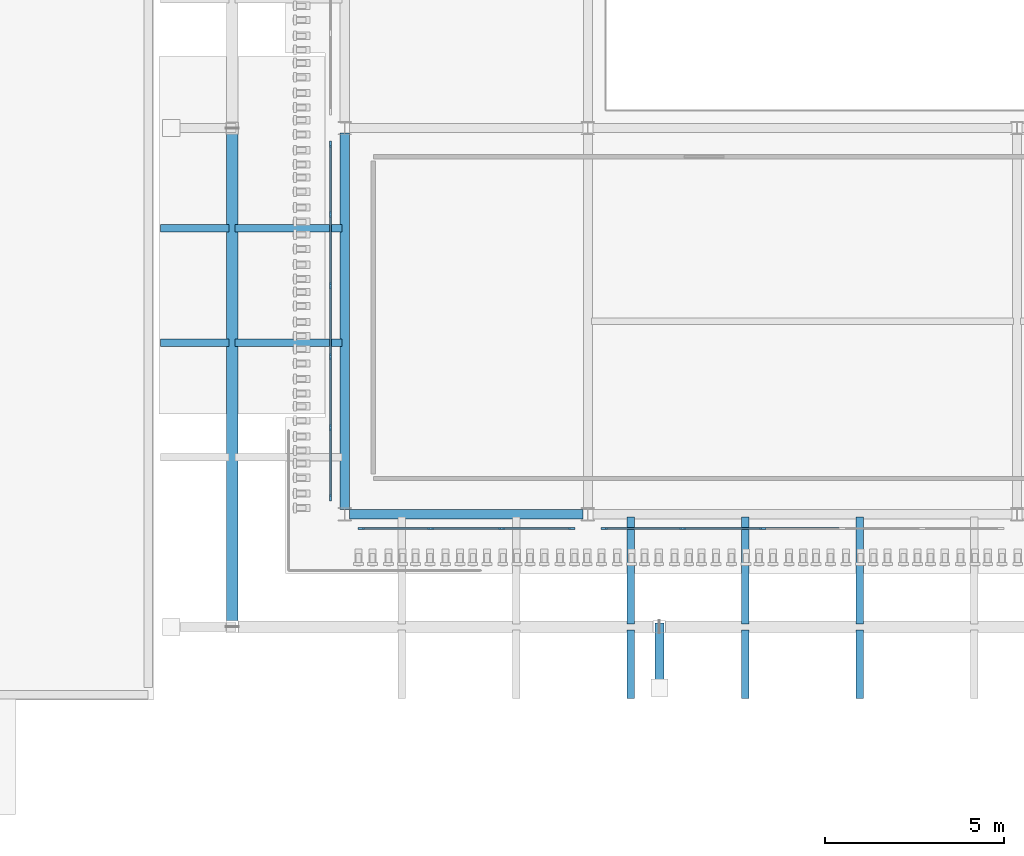
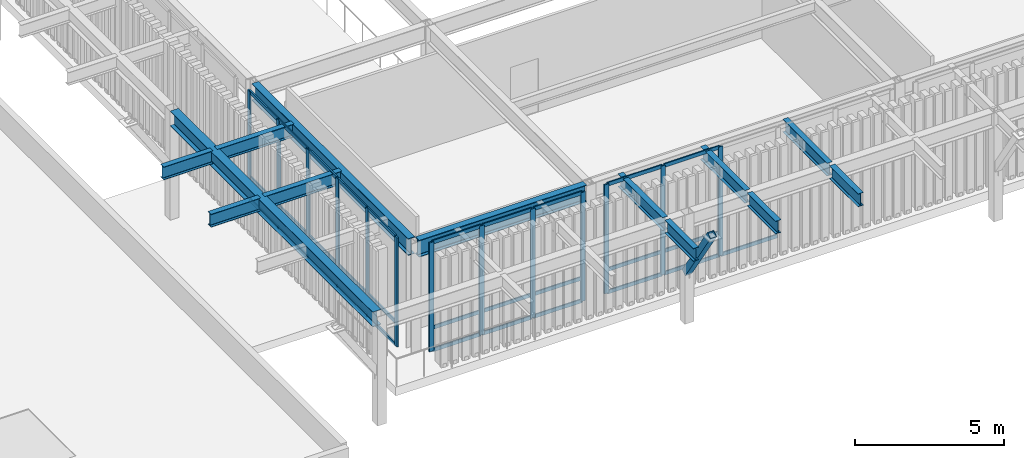
# One storey, part 42 of 126: 45 members, 13 beams, 3 elements without a shape of their own.
"""IFC4 building model written with IfcOpenShell, lengths in metres."""

from ifc_helpers import new_model, si_unit, derived_unit, direction, frame, origin, origin_2d, place, context, subcontext, project, spatial, rectangle, hollow_rectangle, i_section, extrude, material, layer, layer_set, material_profile, profile_set, type_object, element, aggregate, save


model = new_model("IFC4")

# Units and contexts
model_context = context("Model", 3, precision=1e-05, world=origin(), true_north=direction((0.0, 1.0)))
body_context = subcontext(model_context, "Body", "Model", "MODEL_VIEW")
ifc_project = project(units=[si_unit("LENGTHUNIT", "METRE"), si_unit("AREAUNIT", "SQUARE_METRE"), si_unit("VOLUMEUNIT", "CUBIC_METRE"), si_unit("PLANEANGLEUNIT", "RADIAN"), si_unit("MASSUNIT", "GRAM", prefix="KILO"), derived_unit("THERMALTRANSMITTANCEUNIT", [(si_unit("MASSUNIT", "GRAM", prefix="KILO"), 1), (si_unit("TIMEUNIT", "SECOND"), -3), (si_unit("THERMODYNAMICTEMPERATUREUNIT", "KELVIN"), -1)])], contexts=[model_context])

# Site, building, storey
site_placement = place(None, origin())
site = spatial("IfcSite", under=ifc_project, at=site_placement, CompositionType="ELEMENT")
building_placement = place(site_placement, origin())
building = spatial("IfcBuilding", under=site, at=building_placement, Name="Valcora Ridge Arena", CompositionType="ELEMENT")
storey_placement = place(building_placement, frame((0.0, 0.0, 11.39990234375)))
storey = spatial("IfcBuildingStorey", under=building, at=storey_placement, Name="L02", CompositionType="ELEMENT", Elevation=11.39990234375)

# Beams
ifc_material_1 = material(Name="Steel ASTM A572 Grade 50", Category="steel")
ifc_material_profile_1 = material_profile(ifc_material_1, i_section(OverallWidth=0.324951171875, OverallDepth=0.612060546875, WebThickness=0.0126953125, FlangeThickness=0.01904296875, FilletRadius=0.01806640625, at=origin_2d()), Name="W24X104")
ifc_profile_set_1 = profile_set([ifc_material_profile_1], Name="Steel ASTM A572 Grade 50")
beam_type_1 = type_object("IfcBeamType", Name="TY-BEAM-G-COL-W24", PredefinedType="BEAM", material=ifc_profile_set_1)
beam_1_placement = place(storey_placement, frame((134.050048828125, 2.2099609375, 4.174072265625), z_axis=(0.0, 1.0, 0.0), x_axis=(-1.0, 0.0, 0.0)))
element("IfcBeam", 1, at=beam_1_placement, inside=storey, type_object=beam_type_1, Name="G-COL-W24 BEM-G-COL-W24-0001", PredefinedType="BEAM", context=body_context, shape_type="SweptSolid", body=[
    extrude(i_section(OverallWidth=0.324951171875, OverallDepth=0.612060546875, WebThickness=0.0126953125, FlangeThickness=0.01904296875, FilletRadius=0.01806640625, at=origin_2d()), origin(), (0.0, 0.0, 1.0), 13.630126953125),
])
ifc_material_profile_2 = material_profile(ifc_material_1, i_section(OverallWidth=0.256103515625, OverallDepth=0.693115234375, WebThickness=0.014404296875, FlangeThickness=0.023681640625, FilletRadius=0.02001953125, at=origin_2d()), Name="W27X114")
ifc_profile_set_2 = profile_set([ifc_material_profile_2], Name="Steel ASTM A572 Grade 50")
beam_type_2 = type_object("IfcBeamType", Name="TY-BEAM-G-W27X114-Y", PredefinedType="BEAM", material=ifc_profile_set_2)
beam_2_placement = place(storey_placement, frame((137.199951171875, 5.340087890625, 4.133544921875), z_axis=(0.0, 1.0, 0.0), x_axis=(-1.0, 0.0, 0.0)))
element("IfcBeam", 2, at=beam_2_placement, inside=storey, type_object=beam_type_2, Name="G-W27X114-Y BEM-G-W27X114-Y-0059", PredefinedType="BEAM", context=body_context, shape_type="SweptSolid", body=[
    extrude(i_section(OverallWidth=0.256103515625, OverallDepth=0.693115234375, WebThickness=0.014404296875, FlangeThickness=0.023681640625, FilletRadius=0.02001953125, at=origin_2d()), origin(), (0.0, 0.0, 1.0), 10.52001953125),
])
ifc_material_profile_3 = material_profile(ifc_material_1, i_section(OverallWidth=0.208984375, OverallDepth=0.532958984375, WebThickness=0.01025390625, FlangeThickness=0.015625, FilletRadius=0.01611328125, at=origin_2d()), Name="W21X62")
ifc_profile_set_3 = profile_set([ifc_material_profile_3], Name="Steel ASTM A572 Grade 50")
beam_type_3 = type_object("IfcBeamType", Name="TY-BEAM-RAF-EAVE-W21", PredefinedType="BEAM", material=ifc_profile_set_3)
for number, where, z_axis, x_axis, name in (
    (3, (134.1298828125, 10.0, 4.213623046875), (1.0, 0.0, 0.0), (0.0, 1.0, 0.0), "RAF-EAVE-W21 BEM-RAF-EAVE-W21-0002"),
    (4, (134.1298828125, 13.199951171875, 4.213623046875), (1.0, 0.0, 0.0), (0.0, 1.0, 0.0), "RAF-EAVE-W21 BEM-RAF-EAVE-W21-0003"),
):
    element("IfcBeam", number, at=place(storey_placement, frame(where, z_axis=z_axis, x_axis=x_axis)), inside=storey, type_object=beam_type_3, Name=name, PredefinedType="BEAM", context=body_context, shape_type="SweptSolid", body=[
        extrude(i_section(OverallWidth=0.208984375, OverallDepth=0.532958984375, WebThickness=0.01025390625, FlangeThickness=0.015625, FilletRadius=0.01611328125, at=origin_2d()), origin(), (0.0, 0.0, 1.0), 2.990234375),
    ])
ifc_material_profile_4 = material_profile(ifc_material_1, i_section(OverallWidth=0.208984375, OverallDepth=0.532958984375, WebThickness=0.01025390625, FlangeThickness=0.015625, FilletRadius=0.01611328125, at=origin_2d()), Name="W21X62")
ifc_profile_set_4 = profile_set([ifc_material_profile_4], Name="Steel ASTM A572 Grade 50")
beam_type_4 = type_object("IfcBeamType", Name="TY-BEAM-RAF-EAVE-W21S", PredefinedType="BEAM", material=ifc_profile_set_4)
for number, where, z_axis, x_axis, name in (
    (5, (145.199951171875, 2.1298828125, 4.213623046875), (0.0, 1.0, 0.0), (-1.0, 0.0, 0.0), "RAF-EAVE-W21S BEM-RAF-EAVE-W21S-0003"),
    (6, (148.39990234375, 2.1298828125, 4.213623046875), (0.0, 1.0, 0.0), (-1.0, 0.0, 0.0), "RAF-EAVE-W21S BEM-RAF-EAVE-W21S-0004"),
    (7, (151.60009765625, 2.1298828125, 4.213623046875), (0.0, 1.0, 0.0), (-1.0, 0.0, 0.0), "RAF-EAVE-W21S BEM-RAF-EAVE-W21S-0005"),
):
    element("IfcBeam", number, at=place(storey_placement, frame(where, z_axis=z_axis, x_axis=x_axis)), inside=storey, type_object=beam_type_4, Name=name, PredefinedType="BEAM", context=body_context, shape_type="SweptSolid", body=[
        extrude(i_section(OverallWidth=0.208984375, OverallDepth=0.532958984375, WebThickness=0.01025390625, FlangeThickness=0.015625, FilletRadius=0.01611328125, at=origin_2d()), origin(), (0.0, 0.0, 1.0), 2.990234375),
    ])
ifc_material_profile_5 = material_profile(ifc_material_1, i_section(OverallWidth=0.208984375, OverallDepth=0.532958984375, WebThickness=0.01025390625, FlangeThickness=0.015625, FilletRadius=0.01611328125, at=origin_2d()), Name="W21X62")
ifc_profile_set_5 = profile_set([ifc_material_profile_5], Name="Steel ASTM A572 Grade 50")
beam_type_5 = type_object("IfcBeamType", Name="TY-BEAM-RAF-TIP-W21", PredefinedType="BEAM", material=ifc_profile_set_5)
for number, where, z_axis, x_axis, name in (
    (8, (132.050048828125, 10.0, 4.213623046875), (1.0, 0.0, 0.0), (0.0, 1.0, 0.0), "RAF-TIP-W21 BEM-RAF-TIP-W21-0002"),
    (9, (132.050048828125, 13.199951171875, 4.213623046875), (1.0, 0.0, 0.0), (0.0, 1.0, 0.0), "RAF-TIP-W21 BEM-RAF-TIP-W21-0003"),
):
    element("IfcBeam", number, at=place(storey_placement, frame(where, z_axis=z_axis, x_axis=x_axis)), inside=storey, type_object=beam_type_5, Name=name, PredefinedType="BEAM", context=body_context, shape_type="SweptSolid", body=[
        extrude(i_section(OverallWidth=0.208984375, OverallDepth=0.532958984375, WebThickness=0.01025390625, FlangeThickness=0.015625, FilletRadius=0.01611328125, at=origin_2d()), origin(), (0.0, 0.0, 1.0), 1.919921875),
    ])
ifc_material_profile_6 = material_profile(ifc_material_1, i_section(OverallWidth=0.208984375, OverallDepth=0.532958984375, WebThickness=0.01025390625, FlangeThickness=0.015625, FilletRadius=0.01611328125, at=origin_2d()), Name="W21X62")
ifc_profile_set_6 = profile_set([ifc_material_profile_6], Name="Steel ASTM A572 Grade 50")
beam_type_6 = type_object("IfcBeamType", Name="TY-BEAM-RAF-TIP-W21S", PredefinedType="BEAM", material=ifc_profile_set_6)
for number, where, z_axis, x_axis, name in (
    (10, (145.199951171875, 0.050048828125, 4.213623046875), (0.0, 1.0, 0.0), (-1.0, 0.0, 0.0), "RAF-TIP-W21S BEM-RAF-TIP-W21S-0003"),
    (11, (148.39990234375, 0.050048828125, 4.213623046875), (0.0, 1.0, 0.0), (-1.0, 0.0, 0.0), "RAF-TIP-W21S BEM-RAF-TIP-W21S-0004"),
    (12, (151.60009765625, 0.050048828125, 4.213623046875), (0.0, 1.0, 0.0), (-1.0, 0.0, 0.0), "RAF-TIP-W21S BEM-RAF-TIP-W21S-0005"),
):
    element("IfcBeam", number, at=place(storey_placement, frame(where, z_axis=z_axis, x_axis=x_axis)), inside=storey, type_object=beam_type_6, Name=name, PredefinedType="BEAM", context=body_context, shape_type="SweptSolid", body=[
        extrude(i_section(OverallWidth=0.208984375, OverallDepth=0.532958984375, WebThickness=0.01025390625, FlangeThickness=0.015625, FilletRadius=0.01611328125, at=origin_2d()), origin(), (0.0, 0.0, 1.0), 1.919921875),
    ])
ifc_material_profile_7 = material_profile(ifc_material_1, i_section(OverallWidth=0.256103515625, OverallDepth=0.693115234375, WebThickness=0.014404296875, FlangeThickness=0.023681640625, FilletRadius=0.02001953125, at=origin_2d()), Name="W27X114")
ifc_profile_set_7 = profile_set([ifc_material_profile_7], Name="Steel ASTM A572 Grade 50")
beam_type_7 = type_object("IfcBeamType", Name="TY-BEAM-SP-W27X114", PredefinedType="SPANDREL", material=ifc_profile_set_7)
beam_3_placement = place(storey_placement, frame((137.340087890625, 5.199951171875, 4.133544921875), z_axis=(1.0, 0.0, 0.0), x_axis=(0.0, 1.0, 0.0)))
element("IfcBeam", 13, at=beam_3_placement, inside=storey, type_object=beam_type_7, Name="SP-W27X114 BEM-SP-W27X114-0021", PredefinedType="SPANDREL", context=body_context, shape_type="SweptSolid", body=[
    extrude(i_section(OverallWidth=0.256103515625, OverallDepth=0.693115234375, WebThickness=0.014404296875, FlangeThickness=0.023681640625, FilletRadius=0.02001953125, at=origin_2d()), origin(), (0.0, 0.0, 1.0), 6.52001953125),
])

# Curtain wall, members
ifc_material_2 = material(Name="Anodised dark bronze architectural aluminium 6063-T6", Category="aluminium")
ifc_layer_1 = layer(ifc_material_2, 0.179931640625, Name="Anodised dark bronze architectural aluminium 6063-T6")
ifc_layer_set_1 = layer_set([ifc_layer_1], Name="Anodised dark bronze architectural aluminium 6063-T6")
curtain_wall_type_1 = type_object("IfcCurtainWallType", Name="TY-CURTAINWALL-CW-V2-GLAZ-099X45", PredefinedType="NOTDEFINED", material=ifc_layer_set_1)
curtain_wall_1_placement = place(storey_placement, origin())
curtain_wall_1 = element("IfcCurtainWall", 14, at=curtain_wall_1_placement, inside=storey, type_object=curtain_wall_type_1, Name="CW-V2-GLAZ-099X45 CW-0060", PredefinedType="NOTDEFINED")
ifc_material_profile_8 = material_profile(ifc_material_2, rectangle(XDim=0.06005859375, YDim=0.179931640625, at=origin_2d()), Name="ALU MULLION 60x180")
ifc_profile_set_8 = profile_set([ifc_material_profile_8], Name="Anodised dark bronze architectural aluminium 6063-T6")
member_type_1 = type_object("IfcMemberType", Name="TY-MEM-CWM-60x180", PredefinedType="MULLION", material=ifc_profile_set_8)
member_1_placement = place(storey_placement, frame((136.800048828125, 5.656494140625, 0.0), z_axis=(0.0, 0.0, 1.0), x_axis=(-1.0, 0.0, 0.0)))
member_1 = element("IfcMember", 15, at=member_1_placement, type_object=member_type_1, Name="CW-0060/CWM-60x180/M00", PredefinedType="MULLION", context=body_context, shape_type="SweptSolid", body=[
    extrude(rectangle(XDim=0.06005859375, YDim=0.179931640625, at=origin_2d()), origin(), (0.0, 0.0, 1.0), 4.47998046875),
])
member_2_placement = place(storey_placement, frame((136.800048828125, 7.615966796875, 0.0), z_axis=(0.0, 0.0, 1.0), x_axis=(-1.0, 0.0, 0.0)))
member_2 = element("IfcMember", 16, at=member_2_placement, type_object=member_type_1, Name="CW-0060/CWM-60x180/M01", PredefinedType="MULLION", context=body_context, shape_type="SweptSolid", body=[
    extrude(rectangle(XDim=0.06005859375, YDim=0.179931640625, at=origin_2d()), origin(), (0.0, 0.0, 1.0), 4.47998046875),
])
member_3_placement = place(storey_placement, frame((136.800048828125, 9.605224609375, 0.0), z_axis=(0.0, 0.0, 1.0), x_axis=(-1.0, 0.0, 0.0)))
member_3 = element("IfcMember", 17, at=member_3_placement, type_object=member_type_1, Name="CW-0060/CWM-60x180/M02", PredefinedType="MULLION", context=body_context, shape_type="SweptSolid", body=[
    extrude(rectangle(XDim=0.06005859375, YDim=0.179931640625, at=origin_2d()), origin(), (0.0, 0.0, 1.0), 4.47998046875),
])
member_4_placement = place(storey_placement, frame((136.800048828125, 11.5947265625, 0.0), z_axis=(0.0, 0.0, 1.0), x_axis=(-1.0, 0.0, 0.0)))
member_4 = element("IfcMember", 18, at=member_4_placement, type_object=member_type_1, Name="CW-0060/CWM-60x180/M03", PredefinedType="MULLION", context=body_context, shape_type="SweptSolid", body=[
    extrude(rectangle(XDim=0.06005859375, YDim=0.179931640625, at=origin_2d()), origin(), (0.0, 0.0, 1.0), 4.47998046875),
])
member_5_placement = place(storey_placement, frame((136.800048828125, 13.583984375, 0.0), z_axis=(0.0, 0.0, 1.0), x_axis=(-1.0, 0.0, 0.0)))
member_5 = element("IfcMember", 19, at=member_5_placement, type_object=member_type_1, Name="CW-0060/CWM-60x180/M04", PredefinedType="MULLION", context=body_context, shape_type="SweptSolid", body=[
    extrude(rectangle(XDim=0.06005859375, YDim=0.179931640625, at=origin_2d()), origin(), (0.0, 0.0, 1.0), 4.47998046875),
])
member_6_placement = place(storey_placement, frame((136.800048828125, 15.54345703125, 0.0), z_axis=(0.0, 0.0, 1.0), x_axis=(-1.0, 0.0, 0.0)))
member_6 = element("IfcMember", 20, at=member_6_placement, type_object=member_type_1, Name="CW-0060/CWM-60x180/M05", PredefinedType="MULLION", context=body_context, shape_type="SweptSolid", body=[
    extrude(rectangle(XDim=0.06005859375, YDim=0.179931640625, at=origin_2d()), origin(), (0.0, 0.0, 1.0), 4.47998046875),
])

ifc_layer_2 = layer(ifc_material_2, 0.179931640625, Name="Anodised dark bronze architectural aluminium 6063-T6")
ifc_layer_set_2 = layer_set([ifc_layer_2], Name="Anodised dark bronze architectural aluminium 6063-T6")
curtain_wall_type_2 = type_object("IfcCurtainWallType", Name="TY-CURTAINWALL-CW-V2-GLAZ-059X45", PredefinedType="NOTDEFINED", material=ifc_layer_set_2)
curtain_wall_2_placement = place(storey_placement, origin())
curtain_wall_2 = element("IfcCurtainWall", 21, at=curtain_wall_2_placement, inside=storey, type_object=curtain_wall_type_2, Name="CW-V2-GLAZ-059X45 CW-0066", PredefinedType="NOTDEFINED")
member_7_placement = place(storey_placement, frame((137.656982421875, 4.800048828125, 0.0), z_axis=(0.0, 0.0, 1.0), x_axis=(0.0, 1.0, 0.0)))
member_7 = element("IfcMember", 22, at=member_7_placement, type_object=member_type_1, Name="CW-0066/CWM-60x180/M00", PredefinedType="MULLION", context=body_context, shape_type="SweptSolid", body=[
    extrude(rectangle(XDim=0.06005859375, YDim=0.179931640625, at=origin_2d()), origin(), (0.0, 0.0, 1.0), 4.47998046875),
])
member_8_placement = place(storey_placement, frame((139.60888671875, 4.800048828125, 0.0), z_axis=(0.0, 0.0, 1.0), x_axis=(0.0, 1.0, 0.0)))
member_8 = element("IfcMember", 23, at=member_8_placement, type_object=member_type_1, Name="CW-0066/CWM-60x180/M01", PredefinedType="MULLION", context=body_context, shape_type="SweptSolid", body=[
    extrude(rectangle(XDim=0.06005859375, YDim=0.179931640625, at=origin_2d()), origin(), (0.0, 0.0, 1.0), 4.47998046875),
])
member_9_placement = place(storey_placement, frame((141.591064453125, 4.800048828125, 0.0), z_axis=(0.0, 0.0, 1.0), x_axis=(0.0, 1.0, 0.0)))
member_9 = element("IfcMember", 24, at=member_9_placement, type_object=member_type_1, Name="CW-0066/CWM-60x180/M02", PredefinedType="MULLION", context=body_context, shape_type="SweptSolid", body=[
    extrude(rectangle(XDim=0.06005859375, YDim=0.179931640625, at=origin_2d()), origin(), (0.0, 0.0, 1.0), 4.47998046875),
])
member_10_placement = place(storey_placement, frame((143.54296875, 4.800048828125, 0.0), z_axis=(0.0, 0.0, 1.0), x_axis=(0.0, 1.0, 0.0)))
member_10 = element("IfcMember", 25, at=member_10_placement, type_object=member_type_1, Name="CW-0066/CWM-60x180/M03", PredefinedType="MULLION", context=body_context, shape_type="SweptSolid", body=[
    extrude(rectangle(XDim=0.06005859375, YDim=0.179931640625, at=origin_2d()), origin(), (0.0, 0.0, 1.0), 4.47998046875),
])

ifc_layer_3 = layer(ifc_material_2, 0.179931640625, Name="Anodised dark bronze architectural aluminium 6063-T6")
ifc_layer_set_3 = layer_set([ifc_layer_3], Name="Anodised dark bronze architectural aluminium 6063-T6")
curtain_wall_type_3 = type_object("IfcCurtainWallType", Name="TY-CURTAINWALL-CW-V2-GLAZ-111X45", PredefinedType="NOTDEFINED", material=ifc_layer_set_3)
curtain_wall_3_placement = place(storey_placement, origin())
curtain_wall_3 = element("IfcCurtainWall", 26, at=curtain_wall_3_placement, inside=storey, type_object=curtain_wall_type_3, Name="CW-V2-GLAZ-111X45 CW-0067", PredefinedType="NOTDEFINED")
member_11_placement = place(storey_placement, frame((144.45703125, 4.800048828125, 0.0), z_axis=(0.0, 0.0, 1.0), x_axis=(0.0, 1.0, 0.0)))
member_11 = element("IfcMember", 27, at=member_11_placement, type_object=member_type_1, Name="CW-0067/CWM-60x180/M00", PredefinedType="MULLION", context=body_context, shape_type="SweptSolid", body=[
    extrude(rectangle(XDim=0.06005859375, YDim=0.179931640625, at=origin_2d()), origin(), (0.0, 0.0, 1.0), 4.47998046875),
])
member_12_placement = place(storey_placement, frame((146.65625, 4.800048828125, 0.0), z_axis=(0.0, 0.0, 1.0), x_axis=(0.0, 1.0, 0.0)))
member_12 = element("IfcMember", 28, at=member_12_placement, type_object=member_type_1, Name="CW-0067/CWM-60x180/M01", PredefinedType="MULLION", context=body_context, shape_type="SweptSolid", body=[
    extrude(rectangle(XDim=0.06005859375, YDim=0.179931640625, at=origin_2d()), origin(), (0.0, 0.0, 1.0), 4.47998046875),
])
member_13_placement = place(storey_placement, frame((148.885498046875, 4.800048828125, 0.0), z_axis=(0.0, 0.0, 1.0), x_axis=(0.0, 1.0, 0.0)))
member_13 = element("IfcMember", 29, at=member_13_placement, type_object=member_type_1, Name="CW-0067/CWM-60x180/M02", PredefinedType="MULLION", context=body_context, shape_type="SweptSolid", body=[
    extrude(rectangle(XDim=0.06005859375, YDim=0.179931640625, at=origin_2d()), origin(), (0.0, 0.0, 1.0), 4.47998046875),
])

# Member
ifc_material_profile_9 = material_profile(ifc_material_2, rectangle(XDim=0.050048828125, YDim=0.14990234375, at=origin_2d()), Name="ALU TRANSOM 50x150")
ifc_profile_set_9 = profile_set([ifc_material_profile_9], Name="Anodised dark bronze architectural aluminium 6063-T6")
member_type_2 = type_object("IfcMemberType", Name="TY-MEM-CWT-50x150", PredefinedType="USERDEFINED", material=ifc_profile_set_9)
member_14_placement = place(storey_placement, frame((136.800048828125, 5.6865234375, 0.025146484375), z_axis=(0.0, 1.0, 0.0), x_axis=(-1.0, 0.0, 0.0)))
member_14 = element("IfcMember", 30, at=member_14_placement, type_object=member_type_2, Name="CW-0060/CWT-50x150/T00-00", ObjectType="TRANSOM", PredefinedType="USERDEFINED", context=body_context, shape_type="SweptSolid", body=[
    extrude(rectangle(XDim=0.050048828125, YDim=0.14990234375, at=origin_2d()), origin(), (0.0, 0.0, 1.0), 1.89892578125),
])

member_15_placement = place(storey_placement, frame((136.800048828125, 5.6865234375, 0.9501953125), z_axis=(0.0, 1.0, 0.0), x_axis=(-1.0, 0.0, 0.0)))
member_15 = element("IfcMember", 31, at=member_15_placement, type_object=member_type_2, Name="CW-0060/CWT-50x150/T00-01", ObjectType="TRANSOM", PredefinedType="USERDEFINED", context=body_context, shape_type="SweptSolid", body=[
    extrude(rectangle(XDim=0.050048828125, YDim=0.14990234375, at=origin_2d()), origin(), (0.0, 0.0, 1.0), 1.89892578125),
])

member_16_placement = place(storey_placement, frame((136.800048828125, 5.6865234375, 4.455078125), z_axis=(0.0, 1.0, 0.0), x_axis=(-1.0, 0.0, 0.0)))
member_16 = element("IfcMember", 32, at=member_16_placement, type_object=member_type_2, Name="CW-0060/CWT-50x150/T00-02", ObjectType="TRANSOM", PredefinedType="USERDEFINED", context=body_context, shape_type="SweptSolid", body=[
    extrude(rectangle(XDim=0.050048828125, YDim=0.14990234375, at=origin_2d()), origin(), (0.0, 0.0, 1.0), 1.89892578125),
])

member_17_placement = place(storey_placement, frame((136.800048828125, 7.6455078125, 0.025146484375), z_axis=(0.0, 1.0, 0.0), x_axis=(-1.0, 0.0, 0.0)))
member_17 = element("IfcMember", 33, at=member_17_placement, type_object=member_type_2, Name="CW-0060/CWT-50x150/T01-00", ObjectType="TRANSOM", PredefinedType="USERDEFINED", context=body_context, shape_type="SweptSolid", body=[
    extrude(rectangle(XDim=0.050048828125, YDim=0.14990234375, at=origin_2d()), origin(), (0.0, 0.0, 1.0), 1.929931640625),
])

member_18_placement = place(storey_placement, frame((136.800048828125, 7.6455078125, 0.9501953125), z_axis=(0.0, 1.0, 0.0), x_axis=(-1.0, 0.0, 0.0)))
member_18 = element("IfcMember", 34, at=member_18_placement, type_object=member_type_2, Name="CW-0060/CWT-50x150/T01-01", ObjectType="TRANSOM", PredefinedType="USERDEFINED", context=body_context, shape_type="SweptSolid", body=[
    extrude(rectangle(XDim=0.050048828125, YDim=0.14990234375, at=origin_2d()), origin(), (0.0, 0.0, 1.0), 1.929931640625),
])

member_19_placement = place(storey_placement, frame((136.800048828125, 7.6455078125, 4.455078125), z_axis=(0.0, 1.0, 0.0), x_axis=(-1.0, 0.0, 0.0)))
member_19 = element("IfcMember", 35, at=member_19_placement, type_object=member_type_2, Name="CW-0060/CWT-50x150/T01-02", ObjectType="TRANSOM", PredefinedType="USERDEFINED", context=body_context, shape_type="SweptSolid", body=[
    extrude(rectangle(XDim=0.050048828125, YDim=0.14990234375, at=origin_2d()), origin(), (0.0, 0.0, 1.0), 1.929931640625),
])

member_20_placement = place(storey_placement, frame((136.800048828125, 9.635498046875, 0.025146484375), z_axis=(0.0, 1.0, 0.0), x_axis=(-1.0, 0.0, 0.0)))
member_20 = element("IfcMember", 36, at=member_20_placement, type_object=member_type_2, Name="CW-0060/CWT-50x150/T02-00", ObjectType="TRANSOM", PredefinedType="USERDEFINED", context=body_context, shape_type="SweptSolid", body=[
    extrude(rectangle(XDim=0.050048828125, YDim=0.14990234375, at=origin_2d()), origin(), (0.0, 0.0, 1.0), 1.928955078125),
])

member_21_placement = place(storey_placement, frame((136.800048828125, 9.635498046875, 0.9501953125), z_axis=(0.0, 1.0, 0.0), x_axis=(-1.0, 0.0, 0.0)))
member_21 = element("IfcMember", 37, at=member_21_placement, type_object=member_type_2, Name="CW-0060/CWT-50x150/T02-01", ObjectType="TRANSOM", PredefinedType="USERDEFINED", context=body_context, shape_type="SweptSolid", body=[
    extrude(rectangle(XDim=0.050048828125, YDim=0.14990234375, at=origin_2d()), origin(), (0.0, 0.0, 1.0), 1.928955078125),
])

member_22_placement = place(storey_placement, frame((136.800048828125, 9.635498046875, 4.455078125), z_axis=(0.0, 1.0, 0.0), x_axis=(-1.0, 0.0, 0.0)))
member_22 = element("IfcMember", 38, at=member_22_placement, type_object=member_type_2, Name="CW-0060/CWT-50x150/T02-02", ObjectType="TRANSOM", PredefinedType="USERDEFINED", context=body_context, shape_type="SweptSolid", body=[
    extrude(rectangle(XDim=0.050048828125, YDim=0.14990234375, at=origin_2d()), origin(), (0.0, 0.0, 1.0), 1.928955078125),
])

member_23_placement = place(storey_placement, frame((136.800048828125, 11.62451171875, 0.025146484375), z_axis=(0.0, 1.0, 0.0), x_axis=(-1.0, 0.0, 0.0)))
member_23 = element("IfcMember", 39, at=member_23_placement, type_object=member_type_2, Name="CW-0060/CWT-50x150/T03-00", ObjectType="TRANSOM", PredefinedType="USERDEFINED", context=body_context, shape_type="SweptSolid", body=[
    extrude(rectangle(XDim=0.050048828125, YDim=0.14990234375, at=origin_2d()), origin(), (0.0, 0.0, 1.0), 1.929931640625),
])

member_24_placement = place(storey_placement, frame((136.800048828125, 11.62451171875, 0.9501953125), z_axis=(0.0, 1.0, 0.0), x_axis=(-1.0, 0.0, 0.0)))
member_24 = element("IfcMember", 40, at=member_24_placement, type_object=member_type_2, Name="CW-0060/CWT-50x150/T03-01", ObjectType="TRANSOM", PredefinedType="USERDEFINED", context=body_context, shape_type="SweptSolid", body=[
    extrude(rectangle(XDim=0.050048828125, YDim=0.14990234375, at=origin_2d()), origin(), (0.0, 0.0, 1.0), 1.929931640625),
])

member_25_placement = place(storey_placement, frame((136.800048828125, 11.62451171875, 4.455078125), z_axis=(0.0, 1.0, 0.0), x_axis=(-1.0, 0.0, 0.0)))
member_25 = element("IfcMember", 41, at=member_25_placement, type_object=member_type_2, Name="CW-0060/CWT-50x150/T03-02", ObjectType="TRANSOM", PredefinedType="USERDEFINED", context=body_context, shape_type="SweptSolid", body=[
    extrude(rectangle(XDim=0.050048828125, YDim=0.14990234375, at=origin_2d()), origin(), (0.0, 0.0, 1.0), 1.929931640625),
])

member_26_placement = place(storey_placement, frame((136.800048828125, 13.614501953125, 0.025146484375), z_axis=(0.0, 1.0, 0.0), x_axis=(-1.0, 0.0, 0.0)))
member_26 = element("IfcMember", 42, at=member_26_placement, type_object=member_type_2, Name="CW-0060/CWT-50x150/T04-00", ObjectType="TRANSOM", PredefinedType="USERDEFINED", context=body_context, shape_type="SweptSolid", body=[
    extrude(rectangle(XDim=0.050048828125, YDim=0.14990234375, at=origin_2d()), origin(), (0.0, 0.0, 1.0), 1.89892578125),
])

member_27_placement = place(storey_placement, frame((136.800048828125, 13.614501953125, 0.9501953125), z_axis=(0.0, 1.0, 0.0), x_axis=(-1.0, 0.0, 0.0)))
member_27 = element("IfcMember", 43, at=member_27_placement, type_object=member_type_2, Name="CW-0060/CWT-50x150/T04-01", ObjectType="TRANSOM", PredefinedType="USERDEFINED", context=body_context, shape_type="SweptSolid", body=[
    extrude(rectangle(XDim=0.050048828125, YDim=0.14990234375, at=origin_2d()), origin(), (0.0, 0.0, 1.0), 1.89892578125),
])

member_28_placement = place(storey_placement, frame((136.800048828125, 13.614501953125, 4.455078125), z_axis=(0.0, 1.0, 0.0), x_axis=(-1.0, 0.0, 0.0)))
member_28 = element("IfcMember", 44, at=member_28_placement, type_object=member_type_2, Name="CW-0060/CWT-50x150/T04-02", ObjectType="TRANSOM", PredefinedType="USERDEFINED", context=body_context, shape_type="SweptSolid", body=[
    extrude(rectangle(XDim=0.050048828125, YDim=0.14990234375, at=origin_2d()), origin(), (0.0, 0.0, 1.0), 1.89892578125),
])

aggregate(curtain_wall_1, [member_1, member_2, member_3, member_4, member_5, member_6, member_14, member_15, member_16, member_17, member_18, member_19, member_20, member_21, member_22, member_23, member_24, member_25, member_26, member_27, member_28])

member_29_placement = place(storey_placement, frame((137.68701171875, 4.800048828125, 0.025146484375), z_axis=(1.0, 0.0, 0.0), x_axis=(0.0, 1.0, 0.0)))
member_29 = element("IfcMember", 45, at=member_29_placement, type_object=member_type_2, Name="CW-0066/CWT-50x150/T00-00", ObjectType="TRANSOM", PredefinedType="USERDEFINED", context=body_context, shape_type="SweptSolid", body=[
    extrude(rectangle(XDim=0.050048828125, YDim=0.14990234375, at=origin_2d()), origin(), (0.0, 0.0, 1.0), 1.89208984375),
])

member_30_placement = place(storey_placement, frame((137.68701171875, 4.800048828125, 0.9501953125), z_axis=(1.0, 0.0, 0.0), x_axis=(0.0, 1.0, 0.0)))
member_30 = element("IfcMember", 46, at=member_30_placement, type_object=member_type_2, Name="CW-0066/CWT-50x150/T00-01", ObjectType="TRANSOM", PredefinedType="USERDEFINED", context=body_context, shape_type="SweptSolid", body=[
    extrude(rectangle(XDim=0.050048828125, YDim=0.14990234375, at=origin_2d()), origin(), (0.0, 0.0, 1.0), 1.89208984375),
])

member_31_placement = place(storey_placement, frame((137.68701171875, 4.800048828125, 4.455078125), z_axis=(1.0, 0.0, 0.0), x_axis=(0.0, 1.0, 0.0)))
member_31 = element("IfcMember", 47, at=member_31_placement, type_object=member_type_2, Name="CW-0066/CWT-50x150/T00-02", ObjectType="TRANSOM", PredefinedType="USERDEFINED", context=body_context, shape_type="SweptSolid", body=[
    extrude(rectangle(XDim=0.050048828125, YDim=0.14990234375, at=origin_2d()), origin(), (0.0, 0.0, 1.0), 1.89208984375),
])

member_32_placement = place(storey_placement, frame((139.638916015625, 4.800048828125, 0.025146484375), z_axis=(1.0, 0.0, 0.0), x_axis=(0.0, 1.0, 0.0)))
member_32 = element("IfcMember", 48, at=member_32_placement, type_object=member_type_2, Name="CW-0066/CWT-50x150/T01-00", ObjectType="TRANSOM", PredefinedType="USERDEFINED", context=body_context, shape_type="SweptSolid", body=[
    extrude(rectangle(XDim=0.050048828125, YDim=0.14990234375, at=origin_2d()), origin(), (0.0, 0.0, 1.0), 1.922119140625),
])

member_33_placement = place(storey_placement, frame((139.638916015625, 4.800048828125, 0.9501953125), z_axis=(1.0, 0.0, 0.0), x_axis=(0.0, 1.0, 0.0)))
member_33 = element("IfcMember", 49, at=member_33_placement, type_object=member_type_2, Name="CW-0066/CWT-50x150/T01-01", ObjectType="TRANSOM", PredefinedType="USERDEFINED", context=body_context, shape_type="SweptSolid", body=[
    extrude(rectangle(XDim=0.050048828125, YDim=0.14990234375, at=origin_2d()), origin(), (0.0, 0.0, 1.0), 1.922119140625),
])

member_34_placement = place(storey_placement, frame((139.638916015625, 4.800048828125, 4.455078125), z_axis=(1.0, 0.0, 0.0), x_axis=(0.0, 1.0, 0.0)))
member_34 = element("IfcMember", 50, at=member_34_placement, type_object=member_type_2, Name="CW-0066/CWT-50x150/T01-02", ObjectType="TRANSOM", PredefinedType="USERDEFINED", context=body_context, shape_type="SweptSolid", body=[
    extrude(rectangle(XDim=0.050048828125, YDim=0.14990234375, at=origin_2d()), origin(), (0.0, 0.0, 1.0), 1.922119140625),
])

member_35_placement = place(storey_placement, frame((141.62109375, 4.800048828125, 0.025146484375), z_axis=(1.0, 0.0, 0.0), x_axis=(0.0, 1.0, 0.0)))
member_35 = element("IfcMember", 51, at=member_35_placement, type_object=member_type_2, Name="CW-0066/CWT-50x150/T02-00", ObjectType="TRANSOM", PredefinedType="USERDEFINED", context=body_context, shape_type="SweptSolid", body=[
    extrude(rectangle(XDim=0.050048828125, YDim=0.14990234375, at=origin_2d()), origin(), (0.0, 0.0, 1.0), 1.891845703125),
])

member_36_placement = place(storey_placement, frame((141.62109375, 4.800048828125, 0.9501953125), z_axis=(1.0, 0.0, 0.0), x_axis=(0.0, 1.0, 0.0)))
member_36 = element("IfcMember", 52, at=member_36_placement, type_object=member_type_2, Name="CW-0066/CWT-50x150/T02-01", ObjectType="TRANSOM", PredefinedType="USERDEFINED", context=body_context, shape_type="SweptSolid", body=[
    extrude(rectangle(XDim=0.050048828125, YDim=0.14990234375, at=origin_2d()), origin(), (0.0, 0.0, 1.0), 1.891845703125),
])

member_37_placement = place(storey_placement, frame((141.62109375, 4.800048828125, 4.455078125), z_axis=(1.0, 0.0, 0.0), x_axis=(0.0, 1.0, 0.0)))
member_37 = element("IfcMember", 53, at=member_37_placement, type_object=member_type_2, Name="CW-0066/CWT-50x150/T02-02", ObjectType="TRANSOM", PredefinedType="USERDEFINED", context=body_context, shape_type="SweptSolid", body=[
    extrude(rectangle(XDim=0.050048828125, YDim=0.14990234375, at=origin_2d()), origin(), (0.0, 0.0, 1.0), 1.891845703125),
])

aggregate(curtain_wall_2, [member_7, member_8, member_9, member_10, member_29, member_30, member_31, member_32, member_33, member_34, member_35, member_36, member_37])

member_38_placement = place(storey_placement, frame((144.487060546875, 4.800048828125, 0.025146484375), z_axis=(1.0, 0.0, 0.0), x_axis=(0.0, 1.0, 0.0)))
member_38 = element("IfcMember", 54, at=member_38_placement, type_object=member_type_2, Name="CW-0067/CWT-50x150/T00-00", ObjectType="TRANSOM", PredefinedType="USERDEFINED", context=body_context, shape_type="SweptSolid", body=[
    extrude(rectangle(XDim=0.050048828125, YDim=0.14990234375, at=origin_2d()), origin(), (0.0, 0.0, 1.0), 2.138916015625),
])

member_39_placement = place(storey_placement, frame((144.487060546875, 4.800048828125, 0.9501953125), z_axis=(1.0, 0.0, 0.0), x_axis=(0.0, 1.0, 0.0)))
member_39 = element("IfcMember", 55, at=member_39_placement, type_object=member_type_2, Name="CW-0067/CWT-50x150/T00-01", ObjectType="TRANSOM", PredefinedType="USERDEFINED", context=body_context, shape_type="SweptSolid", body=[
    extrude(rectangle(XDim=0.050048828125, YDim=0.14990234375, at=origin_2d()), origin(), (0.0, 0.0, 1.0), 2.138916015625),
])

member_40_placement = place(storey_placement, frame((144.487060546875, 4.800048828125, 4.455078125), z_axis=(1.0, 0.0, 0.0), x_axis=(0.0, 1.0, 0.0)))
member_40 = element("IfcMember", 56, at=member_40_placement, type_object=member_type_2, Name="CW-0067/CWT-50x150/T00-02", ObjectType="TRANSOM", PredefinedType="USERDEFINED", context=body_context, shape_type="SweptSolid", body=[
    extrude(rectangle(XDim=0.050048828125, YDim=0.14990234375, at=origin_2d()), origin(), (0.0, 0.0, 1.0), 2.138916015625),
])

member_41_placement = place(storey_placement, frame((146.68603515625, 4.800048828125, 0.025146484375), z_axis=(1.0, 0.0, 0.0), x_axis=(0.0, 1.0, 0.0)))
member_41 = element("IfcMember", 57, at=member_41_placement, type_object=member_type_2, Name="CW-0067/CWT-50x150/T01-00", ObjectType="TRANSOM", PredefinedType="USERDEFINED", context=body_context, shape_type="SweptSolid", body=[
    extrude(rectangle(XDim=0.050048828125, YDim=0.14990234375, at=origin_2d()), origin(), (0.0, 0.0, 1.0), 2.1689453125),
])

member_42_placement = place(storey_placement, frame((146.68603515625, 4.800048828125, 0.9501953125), z_axis=(1.0, 0.0, 0.0), x_axis=(0.0, 1.0, 0.0)))
member_42 = element("IfcMember", 58, at=member_42_placement, type_object=member_type_2, Name="CW-0067/CWT-50x150/T01-01", ObjectType="TRANSOM", PredefinedType="USERDEFINED", context=body_context, shape_type="SweptSolid", body=[
    extrude(rectangle(XDim=0.050048828125, YDim=0.14990234375, at=origin_2d()), origin(), (0.0, 0.0, 1.0), 2.1689453125),
])

member_43_placement = place(storey_placement, frame((146.68603515625, 4.800048828125, 4.455078125), z_axis=(1.0, 0.0, 0.0), x_axis=(0.0, 1.0, 0.0)))
member_43 = element("IfcMember", 59, at=member_43_placement, type_object=member_type_2, Name="CW-0067/CWT-50x150/T01-02", ObjectType="TRANSOM", PredefinedType="USERDEFINED", context=body_context, shape_type="SweptSolid", body=[
    extrude(rectangle(XDim=0.050048828125, YDim=0.14990234375, at=origin_2d()), origin(), (0.0, 0.0, 1.0), 2.1689453125),
])

member_44_placement = place(storey_placement, frame((148.9150390625, 4.800048828125, 0.025146484375), z_axis=(1.0, 0.0, 0.0), x_axis=(0.0, 1.0, 0.0)))
member_44 = element("IfcMember", 60, at=member_44_placement, type_object=member_type_2, Name="CW-0067/CWT-50x150/T02-00", ObjectType="TRANSOM", PredefinedType="USERDEFINED", context=body_context, shape_type="SweptSolid", body=[
    extrude(rectangle(XDim=0.050048828125, YDim=0.14990234375, at=origin_2d()), origin(), (0.0, 0.0, 1.0), 2.169921875),
])

aggregate(curtain_wall_3, [member_11, member_12, member_13, member_38, member_39, member_40, member_41, member_42, member_43, member_44])

ifc_material_3 = material(Name="Steel ASTM A500 Grade C", Category="steel")
ifc_material_profile_10 = material_profile(ifc_material_3, hollow_rectangle(XDim=0.25, YDim=0.25, WallThickness=0.012451171875, at=origin_2d()), Name="HSS250X250X12")
ifc_profile_set_10 = profile_set([ifc_material_profile_10], Name="Steel ASTM A500 Grade C")
member_type_3 = type_object("IfcMemberType", Name="TY-MEMBER-KBG-250S", PredefinedType="BRACE", material=ifc_profile_set_10)
member_45_placement = place(storey_placement, frame((146.0, 2.050048828125, 2.0), z_axis=(0.0, -0.55317758564, 0.833063358182), x_axis=(1.0, 0.0, 0.0)))
element("IfcMember", 61, at=member_45_placement, inside=storey, type_object=member_type_3, Name="KBG-250S Knee Brace", PredefinedType="BRACE", context=body_context, shape_type="SweptSolid", body=[
    extrude(hollow_rectangle(XDim=0.25, YDim=0.25, WallThickness=0.012451171875, at=origin_2d()), origin(), (0.0, 0.0, 1.0), 3.072998046875),
])

save(model, "model.ifc")
